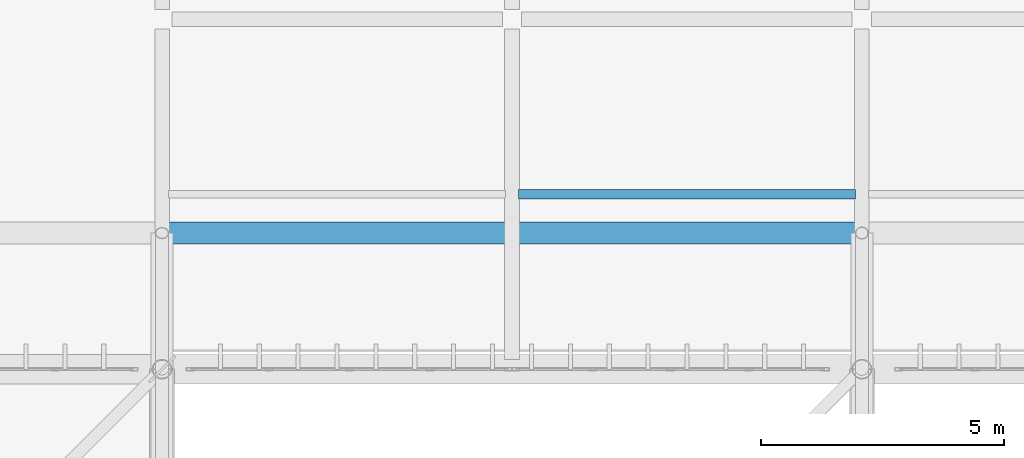
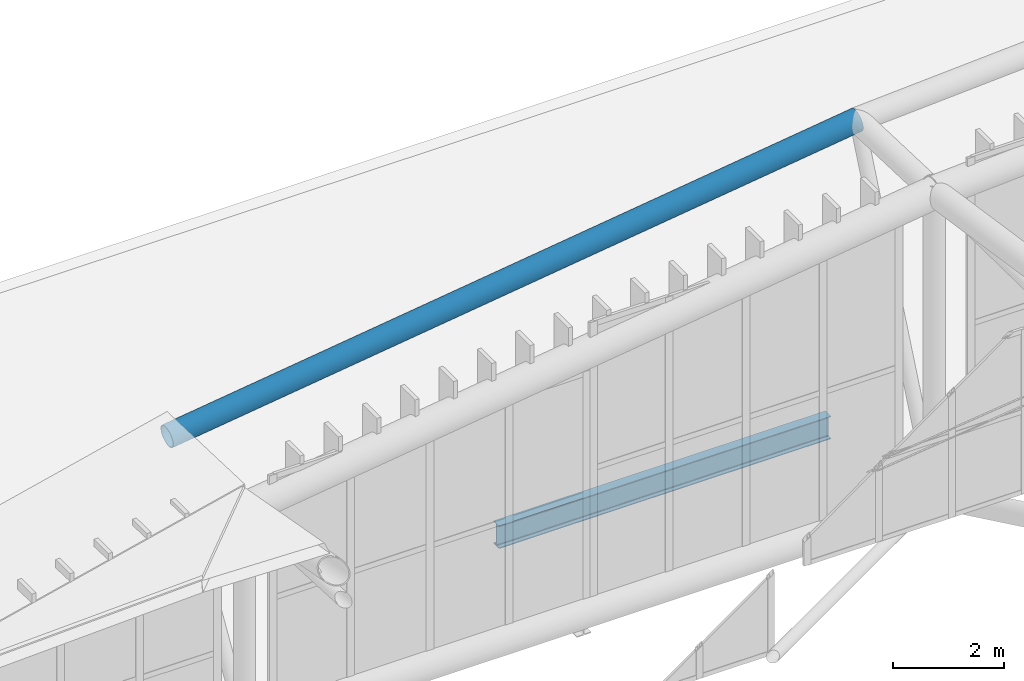
# One storey, part 257 of 397: 2 beams.
"""IFC4 building model written with IfcOpenShell, lengths in metres."""

from ifc_helpers import new_model, si_unit, direction, frame, origin, origin_2d, place, context, subcontext, project, spatial, hollow_circle, i_section, extrude, material, material_profile, profile_set, type_object, element, save


model = new_model("IFC4")

# Units and contexts
model_context = context("Model", 3, precision=1e-05, world=origin(), true_north=direction((0.0, 1.0)))
body_context = subcontext(model_context, "Body", "Model", "MODEL_VIEW")
ifc_project = project(units=[si_unit("LENGTHUNIT", "METRE"), si_unit("AREAUNIT", "SQUARE_METRE"), si_unit("VOLUMEUNIT", "CUBIC_METRE"), si_unit("PLANEANGLEUNIT", "RADIAN"), si_unit("MASSUNIT", "GRAM", prefix="KILO")], contexts=[model_context])

# Site, building, storey
site_placement = place(None, origin())
site = spatial("IfcSite", under=ifc_project, at=site_placement, CompositionType="ELEMENT")
building_placement = place(site_placement, origin())
building = spatial("IfcBuilding", under=site, at=building_placement, Name="Qandorah Velis Arena", CompositionType="ELEMENT")
storey_placement = place(building_placement, frame((0.0, 0.0, 27.5)))
storey = spatial("IfcBuildingStorey", under=building, at=storey_placement, Name="RF", CompositionType="ELEMENT", Elevation=27.5)

# Beams
ifc_material = material(Name="Steel S355", Category="steel")
ifc_material_profile_1 = material_profile(ifc_material, i_section(OverallWidth=0.199951171875, OverallDepth=0.5, WebThickness=0.01025390625, FlangeThickness=0.01611328125, FilletRadius=0.02099609375, at=origin_2d()), Name="IPE 500")
ifc_profile_set_1 = profile_set([ifc_material_profile_1], Name="Steel S355")
beam_type_1 = type_object("IfcBeamType", Name="STR-JST-IPE500", PredefinedType="JOIST", material=ifc_profile_set_1)
beam_1_placement = place(storey_placement, frame((36.135009765625, 118.800048828125, -0.469970703125), z_axis=(1.0, 0.0, 0.0), x_axis=(0.0, 1.0, 0.0)))
element("IfcBeam", 1, at=beam_1_placement, inside=storey, type_object=beam_type_1, Name="Secondary floor joist RF-019", PredefinedType="JOIST", context=body_context, shape_type="SweptSolid", body=[
    extrude(i_section(OverallWidth=0.199951171875, OverallDepth=0.5, WebThickness=0.01025390625, FlangeThickness=0.01611328125, FilletRadius=0.02099609375, at=origin_2d()), origin(), (0.0, 0.0, 1.0), 6.929931640625),
])
ifc_material_profile_2 = material_profile(ifc_material, hollow_circle(Radius=0.228515625, WallThickness=0.01611328125, at=origin_2d()), Name="CHS 457x16")
ifc_profile_set_2 = profile_set([ifc_material_profile_2], Name="Steel S355")
beam_type_2 = type_object("IfcBeamType", Name="STR-SFC-CHS457X16", PredefinedType="USERDEFINED", material=ifc_profile_set_2)
beam_2_placement = place(storey_placement, frame((28.800048828125, 118.0, 4.751953125), z_axis=(0.990980253134, 0.0, 0.134007976993), x_axis=(0.0, 1.0, 0.0)))
element("IfcBeam", 2, at=beam_2_placement, inside=storey, type_object=beam_type_2, Name="Space frame eave fascia ring N-1", ObjectType="ROOF TRUSS", PredefinedType="USERDEFINED", context=body_context, shape_type="SweptSolid", body=[
    extrude(hollow_circle(Radius=0.228515625, WallThickness=0.01611328125, at=origin_2d()), origin(), (0.0, 0.0, 1.0), 14.531005859375),
])

save(model, "model.ifc")
